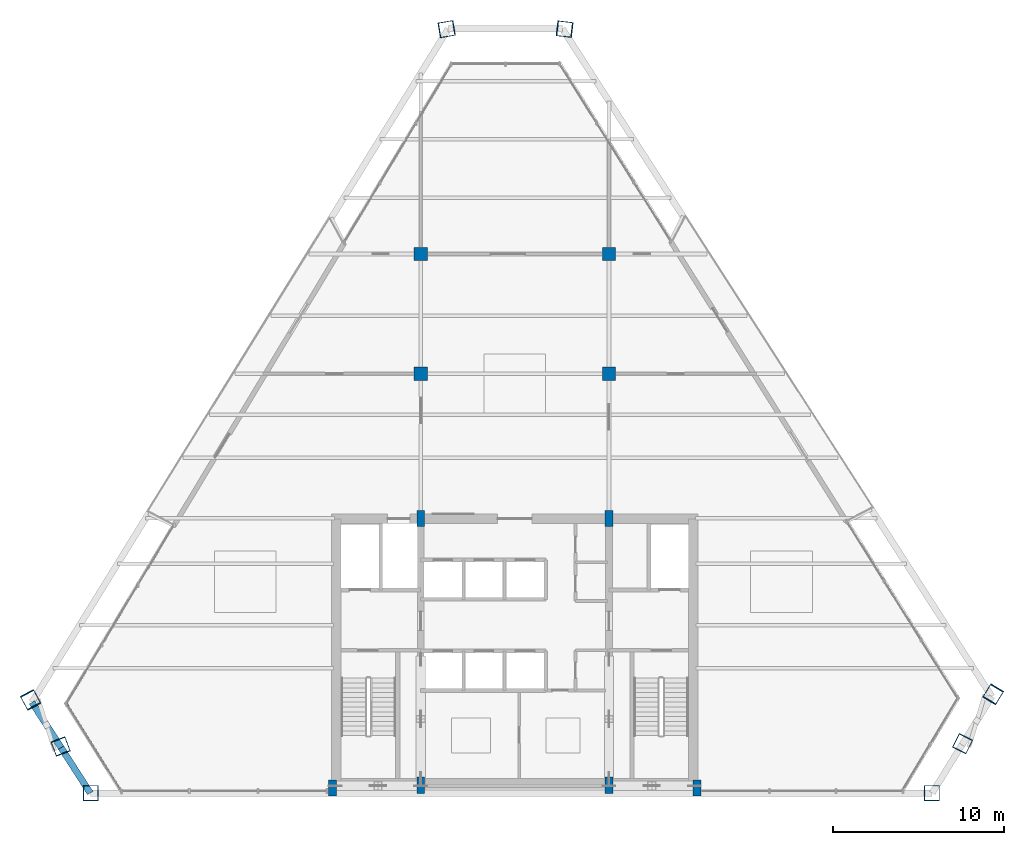
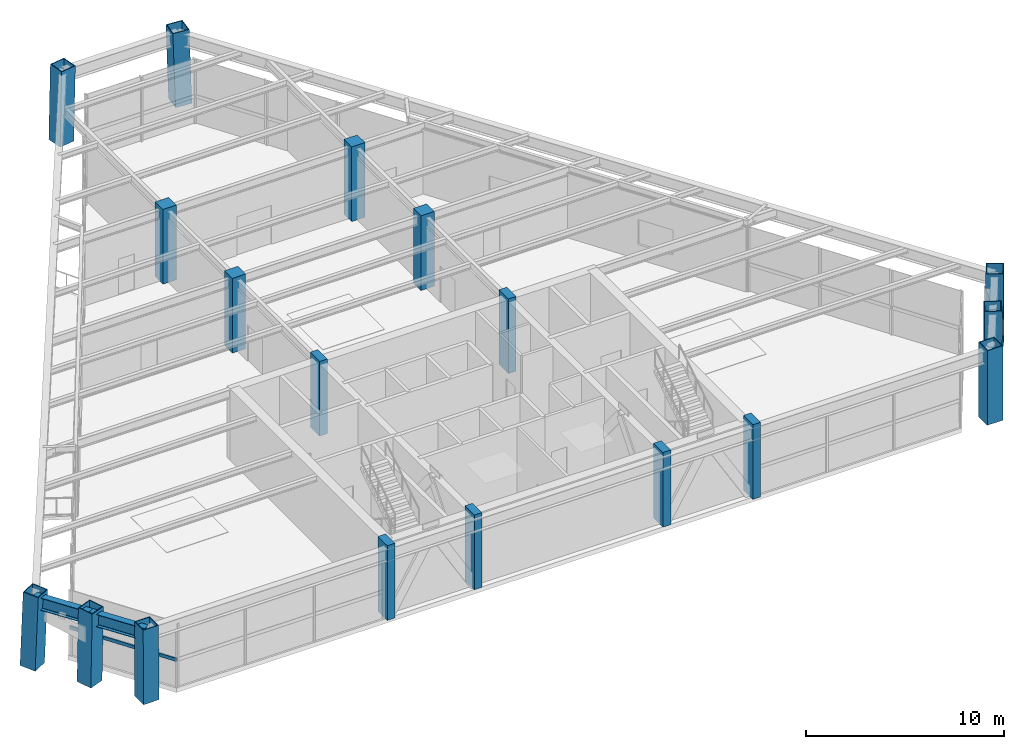
# One storey, part 1 of 11: 18 columns, 2 beams, 1 member, 1 element without a shape of its own.
"""IFC4 building model written with IfcOpenShell, lengths in metres."""

from ifc_helpers import new_model, si_unit, direction, frame, origin, origin_2d, place, context, subcontext, project, spatial, rectangle, hollow_rectangle, i_section, extrude, source, transform, mapped, material, material_profile, profile_set, type_object, type_shapes, element, aggregate, save


model = new_model("IFC4")

# Units and contexts
model_context = context("Model", 3, precision=1e-05, world=origin(), true_north=direction((0.0, 1.0)))
body_context = subcontext(model_context, "Body", "Model", "MODEL_VIEW")
ifc_project = project(units=[si_unit("LENGTHUNIT", "METRE"), si_unit("AREAUNIT", "SQUARE_METRE"), si_unit("VOLUMEUNIT", "CUBIC_METRE"), si_unit("PLANEANGLEUNIT", "RADIAN"), si_unit("MASSUNIT", "GRAM", prefix="KILO")], contexts=[model_context])

# Site, building, storey
site_placement = place(None, origin())
site = spatial("IfcSite", under=ifc_project, at=site_placement, CompositionType="ELEMENT")
building_placement = place(site_placement, origin())
building = spatial("IfcBuilding", under=site, at=building_placement, Name="Varnakhor Terracotta Tower", CompositionType="ELEMENT")
storey_placement = place(building_placement, frame((0.0, 0.0, 215.39990234375)))
storey = spatial("IfcBuildingStorey", under=building, at=storey_placement, Name="L55", CompositionType="ELEMENT", Elevation=215.39990234375)

# Columns
ifc_material_1 = material(Name="Concrete C50/60", Category="concrete")
ifc_material_profile_1 = material_profile(ifc_material_1, rectangle(XDim=0.449951171875, YDim=0.949951171875, at=origin_2d()), Name="RC PILASTER 950x450")
ifc_profile_set_1 = profile_set([ifc_material_profile_1], Name="Concrete C50/60")
column_type_1 = type_object("IfcColumnType", Name="COL-PIL-950x450", PredefinedType="PILASTER", material=ifc_profile_set_1)
shared_shape_1 = source(origin(), body_context, "Body", "SweptSolid", [
    extrude(rectangle(XDim=0.449951171875, YDim=0.949951171875, at=origin_2d()), origin(), (0.0, 0.0, 1.0), 4.60009765625),
])
for number, where, z_axis, x_axis, name in (
    (1, (-10.64990234375, 0.300048828125, 0.0), (0.0, 0.0, 1.0), (1.0, 0.0, 0.0), "L55 Core Pilaster CP1"),
    (2, (-5.5, 0.449951171875, 0.0), (0.0, 0.0, 1.0), (1.0, 0.0, 0.0), "L55 Core Pilaster CP2"),
    (3, (5.5, 0.449951171875, 0.0), (0.0, 0.0, 1.0), (1.0, 0.0, 0.0), "L55 Core Pilaster CP3"),
    (4, (10.64990234375, 0.300048828125, 0.0), (0.0, 0.0, 1.0), (1.0, 0.0, 0.0), "L55 Core Pilaster CP4"),
    (5, (-5.5, 16.050048828125, 0.0), (0.0, 0.0, 1.0), (1.0, 0.0, 0.0), "L55 Core Pilaster CP5"),
    (6, (5.5, 16.050048828125, 0.0), (0.0, 0.0, 1.0), (1.0, 0.0, 0.0), "L55 Core Pilaster CP6"),
):
    element("IfcColumn", number, at=place(storey_placement, frame(where, z_axis=z_axis, x_axis=x_axis)), inside=storey, type_object=column_type_1, Name=name, PredefinedType="PILASTER", context=body_context, shape_type="MappedRepresentation", body=[
        mapped(shared_shape_1, transform((0.0, 0.0, 0.0), scale=1.0)),
    ])
ifc_material_2 = material(Name="Steel S460", Category="steel")
ifc_material_profile_2 = material_profile(ifc_material_2, hollow_rectangle(XDim=0.89990234375, YDim=0.89990234375, WallThickness=0.044921875, at=origin_2d()), Name="BOX 900x900x45")
ifc_profile_set_2 = profile_set([ifc_material_profile_2], Name="Steel S460")
column_type_2 = type_object("IfcColumnType", Name="COL-MEGA-900", PredefinedType="COLUMN", material=ifc_profile_set_2)
shared_shape_2 = source(origin(), body_context, "Body", "SweptSolid", [
    extrude(hollow_rectangle(XDim=0.89990234375, YDim=0.89990234375, WallThickness=0.044921875, at=origin_2d()), origin(), (0.0, 0.0, 1.0), 4.59130859375),
])
type_shapes(column_type_2, [shared_shape_2])
for number, where, z_axis, x_axis, name in (
    (7, (-24.78515625, 0.0, 0.00439453125), (-0.005583237447, 0.0, 0.999984413608), (0.0, -1.0, 0.0), "L55 Perimeter Mega-Column M1"),
    (8, (24.372314453125, 0.0, 0.00439453125), (0.003562670148, 0.0, 0.999993653671), (0.0, 1.0, 0.0), "L55 Perimeter Mega-Column M2"),
):
    element("IfcColumn", number, at=place(storey_placement, frame(where, z_axis=z_axis, x_axis=x_axis)), inside=storey, type_object=column_type_2, Name=name, PredefinedType="COLUMN", context=body_context, shape_type="MappedRepresentation", body=[
        mapped(shared_shape_2, transform((0.0, 0.0, 0.0), scale=1.0)),
    ])
shared_shape_3 = source(origin(), body_context, "Body", "SweptSolid", [
    extrude(hollow_rectangle(XDim=0.89990234375, YDim=0.89990234375, WallThickness=0.044921875, at=origin_2d()), origin(), (0.0, 0.0, 1.0), 4.592041015625),
])
for number, where, z_axis, x_axis, name in (
    (9, (26.1689453125, 2.8955078125, 0.00439453125), (-0.00840008425, -0.016853333591, 0.999822686146), (0.894991141222, -0.44608391266, 0.0), "L55 Perimeter Mega-Column M3"),
    (10, (-26.54638671875, 2.732421875, 0.00439453125), (0.006805101192, -0.017810225776, 0.999818226707), (0.934133885593, 0.356922798077, 0.0), "L55 Perimeter Mega-Column M8"),
):
    element("IfcColumn", number, at=place(storey_placement, frame(where, z_axis=z_axis, x_axis=x_axis)), inside=storey, type_object=column_type_2, Name=name, PredefinedType="COLUMN", context=body_context, shape_type="MappedRepresentation", body=[
        mapped(shared_shape_3, transform((0.0, 0.0, 0.0), scale=1.0)),
    ])
shared_shape_4 = source(origin(), body_context, "Body", "SweptSolid", [
    extrude(hollow_rectangle(XDim=0.89990234375, YDim=0.89990234375, WallThickness=0.044921875, at=origin_2d()), origin(), (0.0, 0.0, 1.0), 4.594970703125),
])
for number, where, z_axis, x_axis, name in (
    (11, (27.9658203125, 5.791015625, 0.00439453125), (-0.02045628447, -0.033686452868, 0.999223079857), (0.854744792802, -0.519048494052, 0.0), "L55 Perimeter Mega-Column M4"),
    (12, (-28.307373046875, 5.464599609375, 0.00439453125), (0.019127261975, -0.035491697221, 0.999186913084), (0.880301782906, 0.4744141345, 0.0), "L55 Perimeter Mega-Column M7"),
):
    element("IfcColumn", number, at=place(storey_placement, frame(where, z_axis=z_axis, x_axis=x_axis)), inside=storey, type_object=column_type_2, Name=name, PredefinedType="COLUMN", context=body_context, shape_type="MappedRepresentation", body=[
        mapped(shared_shape_4, transform((0.0, 0.0, 0.0), scale=1.0)),
    ])
shared_shape_5 = source(origin(), body_context, "Body", "SweptSolid", [
    extrude(hollow_rectangle(XDim=0.89990234375, YDim=0.89990234375, WallThickness=0.044921875, at=origin_2d()), origin(), (0.0, 0.0, 1.0), 4.59375),
])
column_1_placement = place(storey_placement, frame((2.92822265625, 44.6376953125, 0.00439453125), z_axis=(-0.031569701665, 0.003720335213, 0.999494628821), x_axis=(-0.117035257955, -0.993127760359, 0.0)))
element("IfcColumn", 13, at=column_1_placement, inside=storey, type_object=column_type_2, Name="L55 Perimeter Mega-Column M5", PredefinedType="COLUMN", context=body_context, shape_type="MappedRepresentation", body=[
    mapped(shared_shape_5, transform((0.0, 0.0, 0.0), scale=1.0)),
])
shared_shape_6 = source(origin(), body_context, "Body", "SweptSolid", [
    extrude(hollow_rectangle(XDim=0.89990234375, YDim=0.89990234375, WallThickness=0.044921875, at=origin_2d()), origin(), (0.0, 0.0, 1.0), 4.592529296875),
])
column_2_placement = place(storey_placement, frame((-3.99951171875, 44.6376953125, 0.00439453125), z_axis=(0.021955630353, 0.00372129328, 0.999752020389), x_axis=(-0.167108230108, 0.985938557634, 0.0)))
element("IfcColumn", 14, at=column_2_placement, inside=storey, type_object=column_type_2, Name="L55 Perimeter Mega-Column M6", PredefinedType="COLUMN", context=body_context, shape_type="MappedRepresentation", body=[
    mapped(shared_shape_6, transform((0.0, 0.0, 0.0), scale=1.0)),
])
ifc_material_profile_3 = material_profile(ifc_material_1, rectangle(XDim=0.780029296875, YDim=0.780029296875, at=origin_2d()), Name="RC 780x780")
ifc_profile_set_3 = profile_set([ifc_material_profile_3], Name="Concrete C50/60")
column_type_3 = type_object("IfcColumnType", Name="COL-RC-780", PredefinedType="COLUMN", material=ifc_profile_set_3)
shared_shape_7 = source(origin(), body_context, "Body", "SweptSolid", [
    extrude(rectangle(XDim=0.780029296875, YDim=0.780029296875, at=origin_2d()), origin(), (0.0, 0.0, 1.0), 4.60009765625),
])
type_shapes(column_type_3, [shared_shape_7])
for number, where, z_axis, x_axis, name in (
    (15, (-5.5, 24.5, 0.0), (0.0, 0.0, 1.0), (1.0, 0.0, 0.0), "L55 Interior Tower Column IC1"),
    (16, (5.5, 24.5, 0.0), (0.0, 0.0, 1.0), (1.0, 0.0, 0.0), "L55 Interior Tower Column IC2"),
    (17, (-5.5, 31.5, 0.0), (0.0, 0.0, 1.0), (1.0, 0.0, 0.0), "L55 Interior Tower Column IC3"),
    (18, (5.5, 31.5, 0.0), (0.0, 0.0, 1.0), (1.0, 0.0, 0.0), "L55 Interior Tower Column IC4"),
):
    element("IfcColumn", number, at=place(storey_placement, frame(where, z_axis=z_axis, x_axis=x_axis)), inside=storey, type_object=column_type_3, Name=name, PredefinedType="COLUMN", context=body_context, shape_type="MappedRepresentation", body=[
        mapped(shared_shape_7, transform((0.0, 0.0, 0.0), scale=1.0)),
    ])

# Beams
ifc_material_3 = material(Name="Steel S355", Category="steel")
ifc_material_profile_4 = material_profile(ifc_material_3, i_section(OverallWidth=0.381103515625, OverallDepth=0.77294921875, WebThickness=0.01708984375, FlangeThickness=0.027099609375, FilletRadius=0.01806640625, at=origin_2d()), Name="W30X173")
ifc_profile_set_4 = profile_set([ifc_material_profile_4], Name="Steel S355")
beam_type = type_object("IfcBeamType", Name="BM-W30X173", PredefinedType="BEAM", material=ifc_profile_set_4)
shared_shape_8 = source(origin(), body_context, "Body", "SweptSolid", [
    extrude(i_section(OverallWidth=0.381103515625, OverallDepth=0.77294921875, WebThickness=0.01708984375, FlangeThickness=0.027099609375, FilletRadius=0.01806640625, at=origin_2d()), origin(), (0.0, 0.0, 1.0), 3.151611328125),
])
beam_1_placement = place(storey_placement, frame((-28.219482421875, 5.301513671875, 4.003662109375), z_axis=(0.540804574713, -0.841148269908, 0.0), x_axis=(0.841148269908, 0.540804574713, 0.0)))
element("IfcBeam", 19, at=beam_1_placement, inside=storey, type_object=beam_type, Name="L55 Perimeter Spandrel 7", PredefinedType="BEAM", context=body_context, shape_type="MappedRepresentation", body=[
    mapped(shared_shape_8, transform((0.0, 0.0, 0.0), scale=1.0)),
])
shared_shape_9 = source(origin(), body_context, "Body", "SweptSolid", [
    extrude(i_section(OverallWidth=0.381103515625, OverallDepth=0.77294921875, WebThickness=0.01708984375, FlangeThickness=0.027099609375, FilletRadius=0.01806640625, at=origin_2d()), origin(), (0.0, 0.0, 1.0), 3.1513671875),
])
beam_2_placement = place(storey_placement, frame((-26.51513671875, 2.650634765625, 4.003662109375), z_axis=(0.540839816513, -0.84112561064, 0.0), x_axis=(0.84112561064, 0.540839816513, 0.0)))
element("IfcBeam", 20, at=beam_2_placement, inside=storey, type_object=beam_type, Name="L55 Perimeter Spandrel 8", PredefinedType="BEAM", context=body_context, shape_type="MappedRepresentation", body=[
    mapped(shared_shape_9, transform((0.0, 0.0, 0.0), scale=1.0)),
])

# Curtain wall, member
ifc_material_4 = material(Name="Anodised Aluminium Curtain Wall System", Category="aluminium")
curtain_wall_type = type_object("IfcCurtainWallType", Name="CW-SYS-SKYLOBBY", PredefinedType="NOTDEFINED", material=ifc_material_4)
curtain_wall_placement = place(storey_placement, origin())
curtain_wall = element("IfcCurtainWall", 21, at=curtain_wall_placement, inside=storey, type_object=curtain_wall_type, Name="L55 Facet Curtain Wall 6", PredefinedType="NOTDEFINED")
ifc_material_5 = material(Name="Anodised Aluminium 6063-T6", Category="aluminium")
ifc_material_profile_5 = material_profile(ifc_material_5, rectangle(XDim=0.090087890625, YDim=0.2099609375, at=origin_2d()), Name="ALU TRANSOM 90x210")
ifc_profile_set_5 = profile_set([ifc_material_profile_5], Name="Anodised Aluminium 6063-T6")
member_type = type_object("IfcMemberType", Name="CWT-05", PredefinedType="USERDEFINED", material=ifc_profile_set_5)
shared_shape_10 = source(origin(), body_context, "Body", "SweptSolid", [
    extrude(rectangle(XDim=0.090087890625, YDim=0.2099609375, at=origin_2d()), origin(), (0.0, 0.0, 1.0), 6.11474609375),
])
member_placement = place(storey_placement, frame((-22.979248046875, 0.089111328125, 1.66748046875), z_axis=(-0.531537693063, 0.847034639701, 0.0), x_axis=(-0.847034639701, -0.531537693063, 0.0)))
member = element("IfcMember", 22, at=member_placement, type_object=member_type, Name="L55 Facet Curtain Wall 6 Transom 1", ObjectType="TRANSOM", PredefinedType="USERDEFINED", context=body_context, shape_type="MappedRepresentation", body=[
    mapped(shared_shape_10, transform((0.0, 0.0, 0.0), scale=1.0)),
])
aggregate(curtain_wall, [member])

save(model, "model.ifc")
